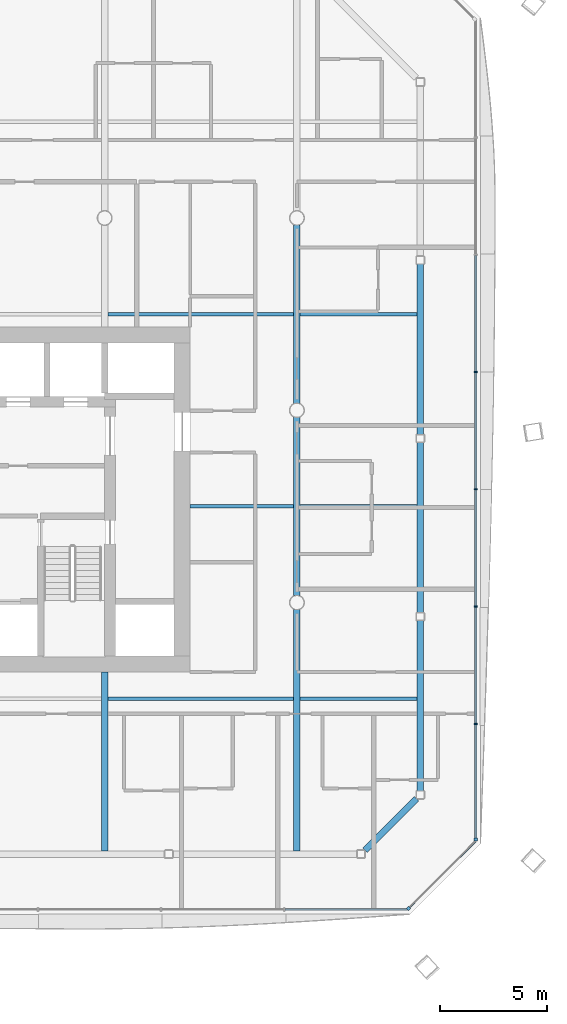
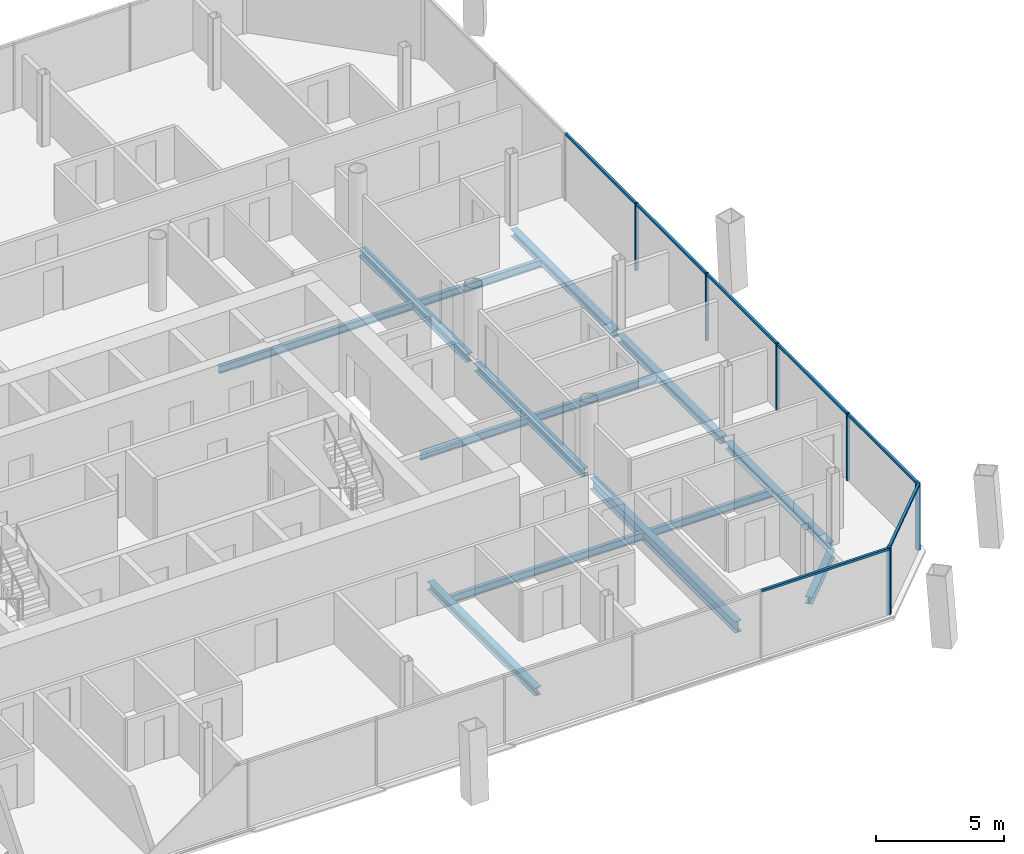
# One storey, part 7 of 21: 14 beams, 13 members, 3 elements without a shape of their own.
"""IFC4 building model written with IfcOpenShell, lengths in metres."""

import ifcopenshell
import ifcopenshell.guid

model = None  # the IFC model being written
_history = None  # IfcOwnerHistory: only IFC2X3 demands one
_inside = {}  # id of a spatial element -> (the spatial element, [elements in it])
_under = {}  # id of a project, library or spatial element -> (it, [spatial elements below it])
_declared = {}  # id of a project -> (the project, [libraries it declares])
_typed = {}  # id of a type object -> (the type object, [elements of that type])
_made_of = {}  # id of a material, layer set ... -> (it, [elements and type objects made of it])


def new_model(schema):
    """Start an empty IFC model of exactly this schema.

    Asked for "IFC4X3", IfcOpenShell would pick the latest addendum, in which some entities
    have other attributes; the version numbers below select the first issue.
    IFC2X3 requires an IfcOwnerHistory on every rooted entity: one is made here for all.
    """
    global model, _history
    if schema == "IFC4X3":
        model = ifcopenshell.file(schema_version=(4, 3, 0, 0))
    else:
        model = ifcopenshell.file(schema=schema)
    _inside.clear()
    _under.clear()
    _declared.clear()
    _typed.clear()
    _made_of.clear()
    _history = None
    if model.schema == "IFC2X3":
        org = make("IfcOrganization", Name="unknown")
        user = make(
            "IfcPersonAndOrganization",
            ThePerson=make("IfcPerson", FamilyName="unknown"),
            TheOrganization=org,
        )
        app = make(
            "IfcApplication",
            ApplicationDeveloper=org,
            Version="unknown",
            ApplicationFullName="unknown",
            ApplicationIdentifier="unknown",
        )
        _history = make(
            "IfcOwnerHistory",
            OwningUser=user,
            OwningApplication=app,
            ChangeAction="ADDED",
            CreationDate=0,
        )
    return model


def make(cls, **values):
    """One entity of the class cls with the attributes given. An attribute that is None is left unset."""
    return model.create_entity(
        cls, **{name: value for name, value in values.items() if value is not None}
    )


def rooted(cls, **values):
    """An entity with a GlobalId (a new one), such as an element, a storey or a relation."""
    return make(cls, GlobalId=ifcopenshell.guid.new(), OwnerHistory=_history, **values)


def si_unit(unit_type, name, prefix=None):
    """IfcSIUnit, for example si_unit("LENGTHUNIT", "METRE", prefix="MILLI")."""
    return make("IfcSIUnit", UnitType=unit_type, Prefix=prefix, Name=name)


def assignment(units):
    """IfcUnitAssignment: the units of a project."""
    return None if units is None else make("IfcUnitAssignment", Units=units)


def point(xyz):
    """IfcCartesianPoint."""
    return None if xyz is None else make("IfcCartesianPoint", Coordinates=xyz)


def direction(xyz):
    """IfcDirection."""
    return None if xyz is None else make("IfcDirection", DirectionRatios=xyz)


def frame(location, z_axis=None, x_axis=None):
    """IfcAxis2Placement3D, a coordinate frame: its origin and axes. An axis left out is left unset."""
    return make(
        "IfcAxis2Placement3D",
        Location=point(location),
        Axis=direction(z_axis),
        RefDirection=direction(x_axis),
    )


def frame_2d(location, x_axis=None):
    """IfcAxis2Placement2D, a coordinate frame in the plane: its origin and x axis."""
    return make(
        "IfcAxis2Placement2D", Location=point(location), RefDirection=direction(x_axis)
    )


def origin():
    """The frame at (0, 0, 0) with its axes left unset."""
    return frame((0.0, 0.0, 0.0))


def origin_2d():
    """The frame at (0, 0) in the plane with its x axis left unset."""
    return frame_2d((0.0, 0.0))


def place(relative_to, where):
    """IfcLocalPlacement: puts the frame where relative to a parent placement (None: the world)."""
    return make(
        "IfcLocalPlacement", PlacementRelTo=relative_to, RelativePlacement=where
    )


def context(
    kind, dimensions, precision=None, world=None, true_north=None, identifier=None
):
    """IfcGeometricRepresentationContext, for example the 3D "Model" context."""
    return make(
        "IfcGeometricRepresentationContext",
        ContextIdentifier=identifier,
        ContextType=kind,
        CoordinateSpaceDimension=dimensions,
        Precision=precision,
        WorldCoordinateSystem=world,
        TrueNorth=true_north,
    )


def subcontext(parent, identifier, kind, view, scale=None):
    """IfcGeometricRepresentationSubContext, for example "Body" below "Model"."""
    return make(
        "IfcGeometricRepresentationSubContext",
        ContextIdentifier=identifier,
        ContextType=kind,
        ParentContext=parent,
        TargetScale=scale,
        TargetView=view,
    )


def project(units=None, contexts=None):
    """IfcProject with its units and contexts."""
    return rooted(
        "IfcProject",
        Name="project",
        RepresentationContexts=contexts,
        UnitsInContext=assignment(units),
    )


def spatial(cls, under=None, at=None, **own):
    """A site, building, storey or space (cls), placed at a placement, below another one or the project."""
    s = rooted(cls, ObjectPlacement=at, **own)
    if under is not None:
        _under.setdefault(under.id(), (under, []))[1].append(s)
    return s


def profile(cls, at=None, kind="AREA", **sizes):
    """A parametric profile (cls). Its sizes go by their IFC names, for example OverallWidth=200.0."""
    return make(cls, ProfileType=kind, Position=at, **sizes)


def rectangle(**sizes):
    """IfcRectangleProfileDef."""
    return profile("IfcRectangleProfileDef", **sizes)


def i_section(**sizes):
    """IfcIShapeProfileDef."""
    return profile("IfcIShapeProfileDef", **sizes)


def extrude(swept, where, along, depth):
    """IfcExtrudedAreaSolid: the profile swept, set in the frame where, extruded along a direction by depth."""
    return make(
        "IfcExtrudedAreaSolid",
        SweptArea=swept,
        Position=where,
        ExtrudedDirection=direction(along),
        Depth=depth,
    )


def shape(context_of_items, identifier, shape_type, items):
    """IfcShapeRepresentation: the items that make up one representation, for example the "Body"."""
    return make(
        "IfcShapeRepresentation",
        ContextOfItems=context_of_items,
        RepresentationIdentifier=identifier,
        RepresentationType=shape_type,
        Items=items,
    )


def material(Name=None, Category=None):
    """IfcMaterial."""
    return make("IfcMaterial", Name=Name, Category=Category)


def material_profile(
    of_material, cross_section, Name=None, Category=None, Priority=None
):
    """IfcMaterialProfile: a cross section and its material."""
    return make(
        "IfcMaterialProfile",
        Name=Name,
        Material=of_material,
        Profile=cross_section,
        Priority=Priority,
        Category=Category,
    )


def profile_set(profiles, Name=None, composite=None):
    """IfcMaterialProfileSet."""
    return make(
        "IfcMaterialProfileSet",
        Name=Name,
        MaterialProfiles=profiles,
        CompositeProfile=composite,
    )


def made_of(thing, what):
    """Note that an element or type object is made of a material, layer set ...; save() writes the relation."""
    if what is not None:
        _made_of.setdefault(what.id(), (what, []))[1].append(thing)
    return thing


def type_object(cls, material=None, **own):
    """A type object (cls), such as IfcWallType, which elements share."""
    return made_of(rooted(cls, **own), material)


def element(
    cls,
    number,
    at=None,
    inside=None,
    cuts=None,
    type_object=None,
    material=None,
    context=None,
    identifier="Body",
    shape_type=None,
    held_by="IfcProductDefinitionShape",
    body=None,
    shapes=None,
    **own,
):
    """One element of the class cls, such as IfcWall. Its Tag is "e" and its number.

    at: its placement. inside: the storey or other place that contains it. cuts: it is an
    opening in that element (IfcRelVoidsElement). A single representation is given by context,
    identifier, shape_type and body (its items); several are given by shapes. held_by: the class
    of the entity that holds the representations. save() writes the other relations.
    """
    e = rooted(cls, Tag="e%d" % number, ObjectPlacement=at, **own)
    if body is not None:
        shapes = [shape(context, identifier, shape_type, body)]
    if shapes is not None:
        e.Representation = make(held_by, Representations=shapes)
    if inside is not None:
        _inside.setdefault(inside.id(), (inside, []))[1].append(e)
    if cuts is not None:
        rooted(
            "IfcRelVoidsElement", RelatingBuildingElement=cuts, RelatedOpeningElement=e
        )
    if type_object is not None:
        _typed.setdefault(type_object.id(), (type_object, []))[1].append(e)
    return made_of(e, material)


def aggregate(whole, parts):
    """IfcRelAggregates: a whole, such as a stair, and the parts it consists of."""
    return rooted("IfcRelAggregates", RelatingObject=whole, RelatedObjects=parts)


def save(model, path):
    """Write the relations noted so far, then the file.

    IfcRelAggregates (storeys below a building ...), IfcRelContainedInSpatialStructure (elements
    in a storey), IfcRelDefinesByType, IfcRelAssociatesMaterial and IfcRelDeclares: one each for
    every whole, place, type object, material and project.
    """
    for whole, parts in _under.values():
        aggregate(whole, parts)
    for where, things in _inside.values():
        rooted(
            "IfcRelContainedInSpatialStructure",
            RelatedElements=things,
            RelatingStructure=where,
        )
    for kind, things in _typed.values():
        rooted("IfcRelDefinesByType", RelatedObjects=things, RelatingType=kind)
    for what, things in _made_of.values():
        rooted("IfcRelAssociatesMaterial", RelatedObjects=things, RelatingMaterial=what)
    for by, libraries in _declared.values():
        rooted("IfcRelDeclares", RelatingContext=by, RelatedDefinitions=libraries)
    model.write(path)


model = new_model("IFC4")

# Units and contexts
model_context = context("Model", 3, precision=1e-05, world=origin(), true_north=direction((0.0, 1.0)))
body_context = subcontext(model_context, "Body", "Model", "MODEL_VIEW")
ifc_project = project(units=[si_unit("LENGTHUNIT", "METRE"), si_unit("AREAUNIT", "SQUARE_METRE"), si_unit("VOLUMEUNIT", "CUBIC_METRE"), si_unit("PLANEANGLEUNIT", "RADIAN"), si_unit("MASSUNIT", "GRAM", prefix="KILO")], contexts=[model_context])

# Site, building, storey
site_placement = place(None, origin())
site = spatial("IfcSite", under=ifc_project, at=site_placement, CompositionType="ELEMENT")
building_placement = place(site_placement, origin())
building = spatial("IfcBuilding", under=site, at=building_placement, Name="Tskaro Facet Tower", CompositionType="ELEMENT")
storey_placement = place(building_placement, frame((0.0, 0.0, 128.300048828125)))
storey = spatial("IfcBuildingStorey", under=building, at=storey_placement, Name="L30", CompositionType="ELEMENT", Elevation=128.300048828125)

# Curtain wall, member
ifc_material_1 = material(Name="Bronze anodised aluminium 6063-T6", Category="aluminium")
curtain_wall_type = type_object("IfcCurtainWallType", Name="Bronze hotel curtain wall (FW2)", PredefinedType="NOTDEFINED", material=ifc_material_1)
curtain_wall_1_placement = place(storey_placement, origin())
curtain_wall_1 = element("IfcCurtainWall", 1, at=curtain_wall_1_placement, inside=storey, type_object=curtain_wall_type, Name="FW2 south-east facet L30", PredefinedType="NOTDEFINED")
ifc_material_profile_1 = material_profile(ifc_material_1, rectangle(XDim=0.14990234375, YDim=0.14990234375, at=origin_2d()), Name="Corner post 150x150")
ifc_profile_set_1 = profile_set([ifc_material_profile_1], Name="Bronze anodised aluminium 6063-T6")
member_type_1 = type_object("IfcMemberType", Name="FW2 bronze corner post 150x150", PredefinedType="MULLION", material=ifc_profile_set_1)
member_1_placement = place(storey_placement, frame((23.218994140625, -23.31396484375, 0.0), z_axis=(0.0, 0.0, 1.0), x_axis=(0.707106781187, 0.707106781187, 0.0)))
member_1 = element("IfcMember", 2, at=member_1_placement, type_object=member_type_1, Name="FW2 south-east corner post", PredefinedType="MULLION", context=body_context, shape_type="SweptSolid", body=[
    extrude(rectangle(XDim=0.14990234375, YDim=0.14990234375, at=origin_2d()), origin(), (0.0, 0.0, 1.0), 3.199951171875),
])

# Curtain wall, members
curtain_wall_2_placement = place(storey_placement, origin())
curtain_wall_2 = element("IfcCurtainWall", 3, at=curtain_wall_2_placement, inside=storey, type_object=curtain_wall_type, Name="FW2 east facet L30", PredefinedType="NOTDEFINED")
member_2_placement = place(storey_placement, frame((26.366943359375, -20.091064453125, 0.0), z_axis=(0.0, 0.0, 1.0), x_axis=(0.0, 1.0, 0.0)))
member_2 = element("IfcMember", 4, at=member_2_placement, type_object=member_type_1, Name="FW2 east corner post", PredefinedType="MULLION", context=body_context, shape_type="SweptSolid", body=[
    extrude(rectangle(XDim=0.14990234375, YDim=0.14990234375, at=origin_2d()), origin(), (0.0, 0.0, 1.0), 3.199951171875),
])
ifc_material_profile_2 = material_profile(ifc_material_1, rectangle(XDim=0.06005859375, YDim=0.14990234375, at=origin_2d()), Name="Mullion 60x150")
ifc_profile_set_2 = profile_set([ifc_material_profile_2], Name="Bronze anodised aluminium 6063-T6")
member_type_2 = type_object("IfcMemberType", Name="FW2 bronze mullion 60x150", PredefinedType="MULLION", material=ifc_profile_set_2)
member_3_placement = place(storey_placement, frame((26.366943359375, -14.677490234375, 0.0), z_axis=(0.0, 0.0, 1.0), x_axis=(0.0, 1.0, 0.0)))
member_3 = element("IfcMember", 5, at=member_3_placement, type_object=member_type_2, Name="FW2 east mullion 1", PredefinedType="MULLION", context=body_context, shape_type="SweptSolid", body=[
    extrude(rectangle(XDim=0.06005859375, YDim=0.14990234375, at=origin_2d()), origin(), (0.0, 0.0, 1.0), 3.199951171875),
])
member_4_placement = place(storey_placement, frame((26.366943359375, -9.189208984375, 0.0), z_axis=(0.0, 0.0, 1.0), x_axis=(0.0, 1.0, 0.0)))
member_4 = element("IfcMember", 6, at=member_4_placement, type_object=member_type_2, Name="FW2 east mullion 2", PredefinedType="MULLION", context=body_context, shape_type="SweptSolid", body=[
    extrude(rectangle(XDim=0.06005859375, YDim=0.14990234375, at=origin_2d()), origin(), (0.0, 0.0, 1.0), 3.199951171875),
])
member_5_placement = place(storey_placement, frame((26.366943359375, -3.70068359375, 0.0), z_axis=(0.0, 0.0, 1.0), x_axis=(0.0, 1.0, 0.0)))
member_5 = element("IfcMember", 7, at=member_5_placement, type_object=member_type_2, Name="FW2 east mullion 3", PredefinedType="MULLION", context=body_context, shape_type="SweptSolid", body=[
    extrude(rectangle(XDim=0.06005859375, YDim=0.14990234375, at=origin_2d()), origin(), (0.0, 0.0, 1.0), 3.199951171875),
])
member_6_placement = place(storey_placement, frame((26.366943359375, 1.78759765625, 0.0), z_axis=(0.0, 0.0, 1.0), x_axis=(0.0, 1.0, 0.0)))
member_6 = element("IfcMember", 8, at=member_6_placement, type_object=member_type_2, Name="FW2 east mullion 4", PredefinedType="MULLION", context=body_context, shape_type="SweptSolid", body=[
    extrude(rectangle(XDim=0.06005859375, YDim=0.14990234375, at=origin_2d()), origin(), (0.0, 0.0, 1.0), 3.199951171875),
])

# Curtain wall, member
curtain_wall_3_placement = place(storey_placement, origin())
curtain_wall_3 = element("IfcCurtainWall", 9, at=curtain_wall_3_placement, inside=storey, type_object=curtain_wall_type, Name="FW2 south facet L30", PredefinedType="NOTDEFINED")
ifc_material_profile_3 = material_profile(ifc_material_1, rectangle(XDim=0.110107421875, YDim=0.10009765625, at=origin_2d()), Name="Transom 110x100")
ifc_profile_set_3 = profile_set([ifc_material_profile_3], Name="Bronze anodised aluminium 6063-T6")
member_type_3 = type_object("IfcMemberType", Name="FW2 bronze transom 110x100", PredefinedType="USERDEFINED", material=ifc_profile_set_3)
member_7_placement = place(storey_placement, frame((17.434326171875, -23.366943359375, 3.14990234375), z_axis=(1.0, 0.0, 0.0), x_axis=(0.0, 1.0, 0.0)))
member_7 = element("IfcMember", 10, at=member_7_placement, type_object=member_type_3, Name="FW2 south transom 7.1", ObjectType="TRANSOM", PredefinedType="USERDEFINED", context=body_context, shape_type="SweptSolid", body=[
    extrude(rectangle(XDim=0.110107421875, YDim=0.10009765625, at=origin_2d()), origin(), (0.0, 0.0, 1.0), 5.731689453125),
])
aggregate(curtain_wall_3, [member_7])

# Member
member_8_placement = place(storey_placement, frame((23.27197265625, -23.260986328125, 3.14990234375), z_axis=(0.707106781187, 0.707106781187, 0.0), x_axis=(-0.707106781187, 0.707106781187, 0.0)))
member_8 = element("IfcMember", 11, at=member_8_placement, type_object=member_type_3, Name="FW2 south-east transom 1.1", ObjectType="TRANSOM", PredefinedType="USERDEFINED", context=body_context, shape_type="SweptSolid", body=[
    extrude(rectangle(XDim=0.110107421875, YDim=0.10009765625, at=origin_2d()), origin(), (0.0, 0.0, 1.0), 4.376953125),
])

aggregate(curtain_wall_1, [member_1, member_8])

member_9_placement = place(storey_placement, frame((26.366943359375, -20.01611328125, 3.14990234375), z_axis=(0.0, 1.0, 0.0), x_axis=(-1.0, 0.0, 0.0)))
member_9 = element("IfcMember", 12, at=member_9_placement, type_object=member_type_3, Name="FW2 east transom 1.1", ObjectType="TRANSOM", PredefinedType="USERDEFINED", context=body_context, shape_type="SweptSolid", body=[
    extrude(rectangle(XDim=0.110107421875, YDim=0.10009765625, at=origin_2d()), origin(), (0.0, 0.0, 1.0), 5.30859375),
])

member_10_placement = place(storey_placement, frame((26.366943359375, -14.6474609375, 3.14990234375), z_axis=(0.0, 1.0, 0.0), x_axis=(-1.0, 0.0, 0.0)))
member_10 = element("IfcMember", 13, at=member_10_placement, type_object=member_type_3, Name="FW2 east transom 2.1", ObjectType="TRANSOM", PredefinedType="USERDEFINED", context=body_context, shape_type="SweptSolid", body=[
    extrude(rectangle(XDim=0.110107421875, YDim=0.10009765625, at=origin_2d()), origin(), (0.0, 0.0, 1.0), 5.42822265625),
])

member_11_placement = place(storey_placement, frame((26.366943359375, -9.1591796875, 3.14990234375), z_axis=(0.0, 1.0, 0.0), x_axis=(-1.0, 0.0, 0.0)))
member_11 = element("IfcMember", 14, at=member_11_placement, type_object=member_type_3, Name="FW2 east transom 3.1", ObjectType="TRANSOM", PredefinedType="USERDEFINED", context=body_context, shape_type="SweptSolid", body=[
    extrude(rectangle(XDim=0.110107421875, YDim=0.10009765625, at=origin_2d()), origin(), (0.0, 0.0, 1.0), 5.428466796875),
])

member_12_placement = place(storey_placement, frame((26.366943359375, -3.670654296875, 3.14990234375), z_axis=(0.0, 1.0, 0.0), x_axis=(-1.0, 0.0, 0.0)))
member_12 = element("IfcMember", 15, at=member_12_placement, type_object=member_type_3, Name="FW2 east transom 4.1", ObjectType="TRANSOM", PredefinedType="USERDEFINED", context=body_context, shape_type="SweptSolid", body=[
    extrude(rectangle(XDim=0.110107421875, YDim=0.10009765625, at=origin_2d()), origin(), (0.0, 0.0, 1.0), 5.428466796875),
])

member_13_placement = place(storey_placement, frame((26.366943359375, 1.817626953125, 3.14990234375), z_axis=(0.0, 1.0, 0.0), x_axis=(-1.0, 0.0, 0.0)))
member_13 = element("IfcMember", 16, at=member_13_placement, type_object=member_type_3, Name="FW2 east transom 5.1", ObjectType="TRANSOM", PredefinedType="USERDEFINED", context=body_context, shape_type="SweptSolid", body=[
    extrude(rectangle(XDim=0.110107421875, YDim=0.10009765625, at=origin_2d()), origin(), (0.0, 0.0, 1.0), 5.428466796875),
])

aggregate(curtain_wall_2, [member_2, member_3, member_4, member_5, member_6, member_9, member_10, member_11, member_12, member_13])

# Beams
ifc_material_2 = material(Name="Steel S355J2", Category="steel")
ifc_material_profile_4 = material_profile(ifc_material_2, i_section(OverallWidth=0.300048828125, OverallDepth=0.340087890625, WebThickness=0.011962890625, FlangeThickness=0.021484375, FilletRadius=0.027099609375, at=origin_2d()), Name="HE 340 B")
ifc_profile_set_4 = profile_set([ifc_material_profile_4], Name="Steel S355J2")
beam_type_1 = type_object("IfcBeamType", Name="HE 340 B ring beam", PredefinedType="BEAM", material=ifc_profile_set_4)
beam_1_placement = place(storey_placement, frame((21.184814453125, -20.588134765625, -0.31005859375), z_axis=(0.707106781187, 0.707106781187, 0.0), x_axis=(-0.707106781187, 0.707106781187, 0.0)))
element("IfcBeam", 17, at=beam_1_placement, inside=storey, type_object=beam_type_1, Name="HE 340 B EB5-3", PredefinedType="BEAM", context=body_context, shape_type="SweptSolid", body=[
    extrude(i_section(OverallWidth=0.300048828125, OverallDepth=0.340087890625, WebThickness=0.011962890625, FlangeThickness=0.021484375, FilletRadius=0.027099609375, at=origin_2d()), origin(), (0.0, 0.0, 1.0), 3.39892578125),
])
beam_2_placement = place(storey_placement, frame((23.77392578125, -17.819091796875, -0.31005859375), z_axis=(0.0, 1.0, 0.0), x_axis=(-1.0, 0.0, 0.0)))
element("IfcBeam", 18, at=beam_2_placement, inside=storey, type_object=beam_type_1, Name="HE 340 B EB6-3", PredefinedType="BEAM", context=body_context, shape_type="SweptSolid", body=[
    extrude(i_section(OverallWidth=0.300048828125, OverallDepth=0.340087890625, WebThickness=0.011962890625, FlangeThickness=0.021484375, FilletRadius=0.027099609375, at=origin_2d()), origin(), (0.0, 0.0, 1.0), 7.982177734375),
])
beam_3_placement = place(storey_placement, frame((23.77392578125, -9.47705078125, -0.31005859375), z_axis=(0.0, 1.0, 0.0), x_axis=(-1.0, 0.0, 0.0)))
element("IfcBeam", 19, at=beam_3_placement, inside=storey, type_object=beam_type_1, Name="HE 340 B EB7-3", PredefinedType="BEAM", context=body_context, shape_type="SweptSolid", body=[
    extrude(i_section(OverallWidth=0.300048828125, OverallDepth=0.340087890625, WebThickness=0.011962890625, FlangeThickness=0.021484375, FilletRadius=0.027099609375, at=origin_2d()), origin(), (0.0, 0.0, 1.0), 7.98095703125),
])
beam_4_placement = place(storey_placement, frame((23.77392578125, -1.135986328125, -0.31005859375), z_axis=(0.0, 1.0, 0.0), x_axis=(-1.0, 0.0, 0.0)))
element("IfcBeam", 20, at=beam_4_placement, inside=storey, type_object=beam_type_1, Name="HE 340 B EB8-3", PredefinedType="BEAM", context=body_context, shape_type="SweptSolid", body=[
    extrude(i_section(OverallWidth=0.300048828125, OverallDepth=0.340087890625, WebThickness=0.011962890625, FlangeThickness=0.021484375, FilletRadius=0.027099609375, at=origin_2d()), origin(), (0.0, 0.0, 1.0), 7.98193359375),
])
ifc_material_profile_5 = material_profile(ifc_material_2, i_section(OverallWidth=0.300048828125, OverallDepth=0.389892578125, WebThickness=0.010986328125, FlangeThickness=0.01904296875, FilletRadius=0.027099609375, at=origin_2d()), Name="HE 400 A")
ifc_profile_set_5 = profile_set([ifc_material_profile_5], Name="Steel S355J2")
beam_type_2 = type_object("IfcBeamType", Name="HE 400 A girder", PredefinedType="BEAM", material=ifc_profile_set_5)
beam_5_placement = place(storey_placement, frame((9.0, -20.6240234375, -0.3349609375), z_axis=(0.0, 1.0, 0.0), x_axis=(-1.0, 0.0, 0.0)))
element("IfcBeam", 21, at=beam_5_placement, inside=storey, type_object=beam_type_2, Name="HE 400 A GB5-1-3", PredefinedType="BEAM", context=body_context, shape_type="SweptSolid", body=[
    extrude(i_section(OverallWidth=0.300048828125, OverallDepth=0.389892578125, WebThickness=0.010986328125, FlangeThickness=0.01904296875, FilletRadius=0.027099609375, at=origin_2d()), origin(), (0.0, 0.0, 1.0), 8.3740234375),
])
for number, where, z_axis, x_axis, name in (
    (22, (18.0, -8.674560546875, -0.3349609375), (0.0, 1.0, 0.0), (-1.0, 0.0, 0.0), "HE 400 A GB6-2-3"),
    (23, (18.0, 0.325439453125, -0.3349609375), (0.0, 1.0, 0.0), (-1.0, 0.0, 0.0), "HE 400 A GB6-3-3"),
):
    element("IfcBeam", number, at=place(storey_placement, frame(where, z_axis=z_axis, x_axis=x_axis)), inside=storey, type_object=beam_type_2, Name=name, PredefinedType="BEAM", context=body_context, shape_type="SweptSolid", body=[
        extrude(i_section(OverallWidth=0.300048828125, OverallDepth=0.389892578125, WebThickness=0.010986328125, FlangeThickness=0.01904296875, FilletRadius=0.027099609375, at=origin_2d()), origin(), (0.0, 0.0, 1.0), 8.34912109375),
    ])
ifc_material_profile_6 = material_profile(ifc_material_2, i_section(OverallWidth=0.300048828125, OverallDepth=0.5400390625, WebThickness=0.012451171875, FlangeThickness=0.02392578125, FilletRadius=0.027099609375, at=origin_2d()), Name="HE 550 A")
ifc_profile_set_6 = profile_set([ifc_material_profile_6], Name="Steel S355J2")
beam_type_3 = type_object("IfcBeamType", Name="HE 550 A long girder", PredefinedType="BEAM", material=ifc_profile_set_6)
beam_6_placement = place(storey_placement, frame((18.0, -20.6240234375, -0.41015625), z_axis=(0.0, 1.0, 0.0), x_axis=(-1.0, 0.0, 0.0)))
element("IfcBeam", 24, at=beam_6_placement, inside=storey, type_object=beam_type_3, Name="HE 550 A LGB6-1-3", PredefinedType="BEAM", context=body_context, shape_type="SweptSolid", body=[
    extrude(i_section(OverallWidth=0.300048828125, OverallDepth=0.5400390625, WebThickness=0.012451171875, FlangeThickness=0.02392578125, FilletRadius=0.027099609375, at=origin_2d()), origin(), (0.0, 0.0, 1.0), 11.298583984375),
])
ifc_material_profile_7 = material_profile(ifc_material_2, i_section(OverallWidth=0.169921875, OverallDepth=0.360107421875, WebThickness=0.008056640625, FlangeThickness=0.0126953125, FilletRadius=0.01806640625, at=origin_2d()), Name="IPE 360")
ifc_profile_set_7 = profile_set([ifc_material_profile_7], Name="Steel S355J2")
beam_type_4 = type_object("IfcBeamType", Name="IPE 360 secondary beam", PredefinedType="BEAM", material=ifc_profile_set_7)
beam_7_placement = place(storey_placement, frame((9.14990234375, -13.5, -0.320068359375), z_axis=(1.0, 0.0, 0.0), x_axis=(0.0, 1.0, 0.0)))
element("IfcBeam", 25, at=beam_7_placement, inside=storey, type_object=beam_type_4, Name="IPE 360 SB2a-4-3", PredefinedType="BEAM", context=body_context, shape_type="SweptSolid", body=[
    extrude(i_section(OverallWidth=0.169921875, OverallDepth=0.360107421875, WebThickness=0.008056640625, FlangeThickness=0.0126953125, FilletRadius=0.01806640625, at=origin_2d()), origin(), (0.0, 0.0, 1.0), 8.7001953125),
])
beam_8_placement = place(storey_placement, frame((18.14990234375, -13.5, -0.320068359375), z_axis=(1.0, 0.0, 0.0), x_axis=(0.0, 1.0, 0.0)))
element("IfcBeam", 26, at=beam_8_placement, inside=storey, type_object=beam_type_4, Name="IPE 360 SB2a-5-3", PredefinedType="BEAM", context=body_context, shape_type="SweptSolid", body=[
    extrude(i_section(OverallWidth=0.169921875, OverallDepth=0.360107421875, WebThickness=0.008056640625, FlangeThickness=0.0126953125, FilletRadius=0.01806640625, at=origin_2d()), origin(), (0.0, 0.0, 1.0), 5.47412109375),
])
beam_9_placement = place(storey_placement, frame((13.0, -4.5, -0.320068359375), z_axis=(1.0, 0.0, 0.0), x_axis=(0.0, 1.0, 0.0)))
element("IfcBeam", 27, at=beam_9_placement, inside=storey, type_object=beam_type_4, Name="IPE 360 SB3a-2-3", PredefinedType="BEAM", context=body_context, shape_type="SweptSolid", body=[
    extrude(i_section(OverallWidth=0.169921875, OverallDepth=0.360107421875, WebThickness=0.008056640625, FlangeThickness=0.0126953125, FilletRadius=0.01806640625, at=origin_2d()), origin(), (0.0, 0.0, 1.0), 4.85009765625),
])
beam_10_placement = place(storey_placement, frame((18.14990234375, -4.5, -0.320068359375), z_axis=(1.0, 0.0, 0.0), x_axis=(0.0, 1.0, 0.0)))
element("IfcBeam", 28, at=beam_10_placement, inside=storey, type_object=beam_type_4, Name="IPE 360 SB3a-3-3", PredefinedType="BEAM", context=body_context, shape_type="SweptSolid", body=[
    extrude(i_section(OverallWidth=0.169921875, OverallDepth=0.360107421875, WebThickness=0.008056640625, FlangeThickness=0.0126953125, FilletRadius=0.01806640625, at=origin_2d()), origin(), (0.0, 0.0, 1.0), 5.47412109375),
])
beam_11_placement = place(storey_placement, frame((9.14990234375, 4.5, -0.320068359375), z_axis=(1.0, 0.0, 0.0), x_axis=(0.0, 1.0, 0.0)))
element("IfcBeam", 29, at=beam_11_placement, inside=storey, type_object=beam_type_4, Name="IPE 360 SB4a-4-3", PredefinedType="BEAM", context=body_context, shape_type="SweptSolid", body=[
    extrude(i_section(OverallWidth=0.169921875, OverallDepth=0.360107421875, WebThickness=0.008056640625, FlangeThickness=0.0126953125, FilletRadius=0.01806640625, at=origin_2d()), origin(), (0.0, 0.0, 1.0), 8.7001953125),
])
beam_12_placement = place(storey_placement, frame((18.14990234375, 4.5, -0.320068359375), z_axis=(1.0, 0.0, 0.0), x_axis=(0.0, 1.0, 0.0)))
element("IfcBeam", 30, at=beam_12_placement, inside=storey, type_object=beam_type_4, Name="IPE 360 SB4a-5-3", PredefinedType="BEAM", context=body_context, shape_type="SweptSolid", body=[
    extrude(i_section(OverallWidth=0.169921875, OverallDepth=0.360107421875, WebThickness=0.008056640625, FlangeThickness=0.0126953125, FilletRadius=0.01806640625, at=origin_2d()), origin(), (0.0, 0.0, 1.0), 5.47412109375),
])

save(model, "model.ifc")
